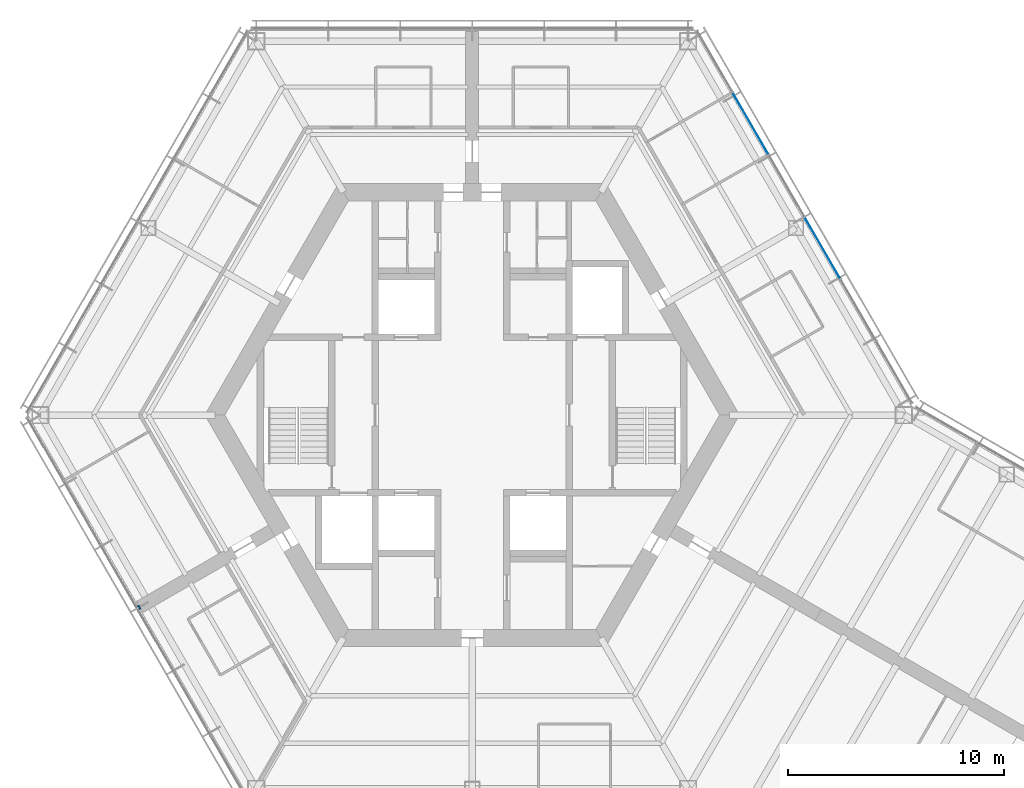
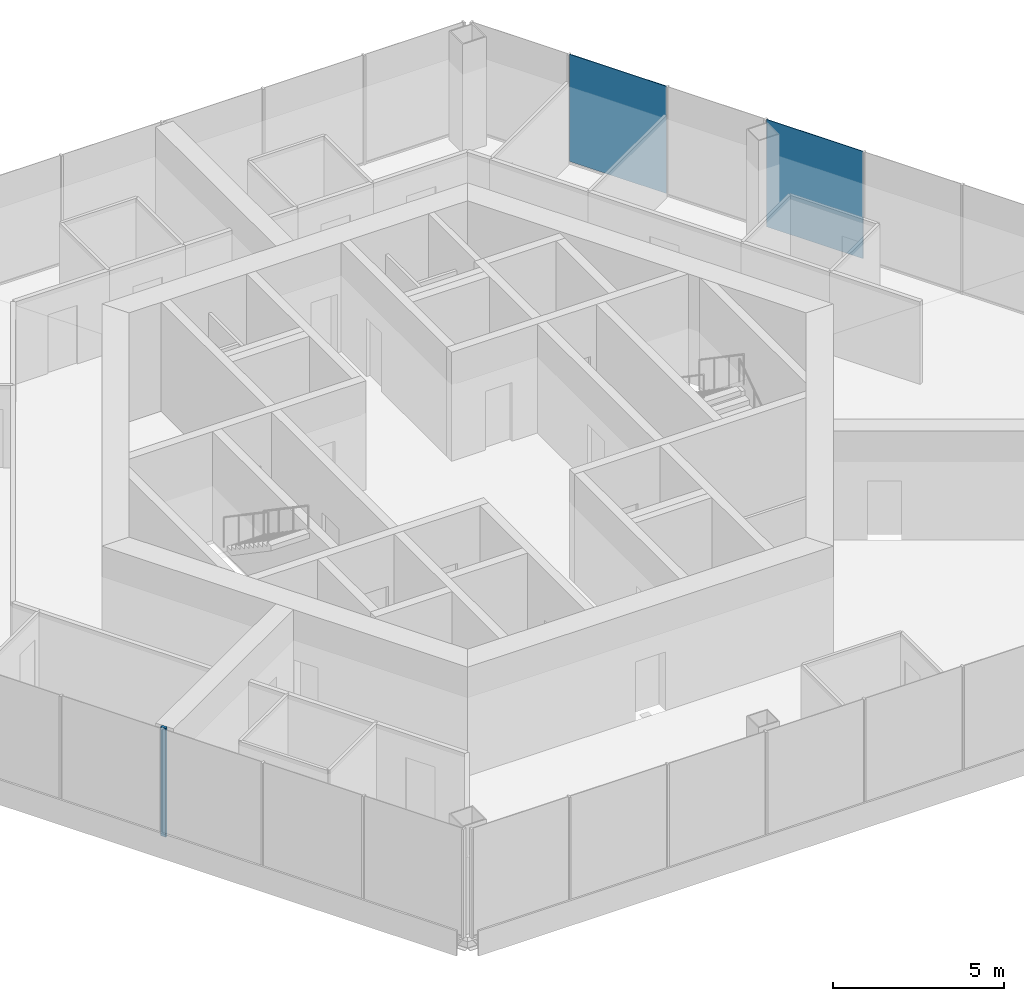
# One storey, part 9 of 15: 2 plates, 1 wall, 1 element without a shape of its own.
"""IFC4 building model written with IfcOpenShell, lengths in metres."""

import ifcopenshell
import ifcopenshell.guid

model = None  # the IFC model being written
_history = None  # IfcOwnerHistory: only IFC2X3 demands one
_inside = {}  # id of a spatial element -> (the spatial element, [elements in it])
_under = {}  # id of a project, library or spatial element -> (it, [spatial elements below it])
_declared = {}  # id of a project -> (the project, [libraries it declares])
_typed = {}  # id of a type object -> (the type object, [elements of that type])
_made_of = {}  # id of a material, layer set ... -> (it, [elements and type objects made of it])


def new_model(schema):
    """Start an empty IFC model of exactly this schema.

    Asked for "IFC4X3", IfcOpenShell would pick the latest addendum, in which some entities
    have other attributes; the version numbers below select the first issue.
    IFC2X3 requires an IfcOwnerHistory on every rooted entity: one is made here for all.
    """
    global model, _history
    if schema == "IFC4X3":
        model = ifcopenshell.file(schema_version=(4, 3, 0, 0))
    else:
        model = ifcopenshell.file(schema=schema)
    _inside.clear()
    _under.clear()
    _declared.clear()
    _typed.clear()
    _made_of.clear()
    _history = None
    if model.schema == "IFC2X3":
        org = make("IfcOrganization", Name="unknown")
        user = make(
            "IfcPersonAndOrganization",
            ThePerson=make("IfcPerson", FamilyName="unknown"),
            TheOrganization=org,
        )
        app = make(
            "IfcApplication",
            ApplicationDeveloper=org,
            Version="unknown",
            ApplicationFullName="unknown",
            ApplicationIdentifier="unknown",
        )
        _history = make(
            "IfcOwnerHistory",
            OwningUser=user,
            OwningApplication=app,
            ChangeAction="ADDED",
            CreationDate=0,
        )
    return model


def make(cls, **values):
    """One entity of the class cls with the attributes given. An attribute that is None is left unset."""
    return model.create_entity(
        cls, **{name: value for name, value in values.items() if value is not None}
    )


def rooted(cls, **values):
    """An entity with a GlobalId (a new one), such as an element, a storey or a relation."""
    return make(cls, GlobalId=ifcopenshell.guid.new(), OwnerHistory=_history, **values)


def si_unit(unit_type, name, prefix=None):
    """IfcSIUnit, for example si_unit("LENGTHUNIT", "METRE", prefix="MILLI")."""
    return make("IfcSIUnit", UnitType=unit_type, Prefix=prefix, Name=name)


def assignment(units):
    """IfcUnitAssignment: the units of a project."""
    return None if units is None else make("IfcUnitAssignment", Units=units)


def point(xyz):
    """IfcCartesianPoint."""
    return None if xyz is None else make("IfcCartesianPoint", Coordinates=xyz)


def direction(xyz):
    """IfcDirection."""
    return None if xyz is None else make("IfcDirection", DirectionRatios=xyz)


def frame(location, z_axis=None, x_axis=None):
    """IfcAxis2Placement3D, a coordinate frame: its origin and axes. An axis left out is left unset."""
    return make(
        "IfcAxis2Placement3D",
        Location=point(location),
        Axis=direction(z_axis),
        RefDirection=direction(x_axis),
    )


def frame_2d(location, x_axis=None):
    """IfcAxis2Placement2D, a coordinate frame in the plane: its origin and x axis."""
    return make(
        "IfcAxis2Placement2D", Location=point(location), RefDirection=direction(x_axis)
    )


def origin():
    """The frame at (0, 0, 0) with its axes left unset."""
    return frame((0.0, 0.0, 0.0))


def origin_2d():
    """The frame at (0, 0) in the plane with its x axis left unset."""
    return frame_2d((0.0, 0.0))


def place(relative_to, where):
    """IfcLocalPlacement: puts the frame where relative to a parent placement (None: the world)."""
    return make(
        "IfcLocalPlacement", PlacementRelTo=relative_to, RelativePlacement=where
    )


def context(
    kind, dimensions, precision=None, world=None, true_north=None, identifier=None
):
    """IfcGeometricRepresentationContext, for example the 3D "Model" context."""
    return make(
        "IfcGeometricRepresentationContext",
        ContextIdentifier=identifier,
        ContextType=kind,
        CoordinateSpaceDimension=dimensions,
        Precision=precision,
        WorldCoordinateSystem=world,
        TrueNorth=true_north,
    )


def subcontext(parent, identifier, kind, view, scale=None):
    """IfcGeometricRepresentationSubContext, for example "Body" below "Model"."""
    return make(
        "IfcGeometricRepresentationSubContext",
        ContextIdentifier=identifier,
        ContextType=kind,
        ParentContext=parent,
        TargetScale=scale,
        TargetView=view,
    )


def project(units=None, contexts=None):
    """IfcProject with its units and contexts."""
    return rooted(
        "IfcProject",
        Name="project",
        RepresentationContexts=contexts,
        UnitsInContext=assignment(units),
    )


def spatial(cls, under=None, at=None, **own):
    """A site, building, storey or space (cls), placed at a placement, below another one or the project."""
    s = rooted(cls, ObjectPlacement=at, **own)
    if under is not None:
        _under.setdefault(under.id(), (under, []))[1].append(s)
    return s


def profile(cls, at=None, kind="AREA", **sizes):
    """A parametric profile (cls). Its sizes go by their IFC names, for example OverallWidth=200.0."""
    return make(cls, ProfileType=kind, Position=at, **sizes)


def rectangle(**sizes):
    """IfcRectangleProfileDef."""
    return profile("IfcRectangleProfileDef", **sizes)


def extrude(swept, where, along, depth):
    """IfcExtrudedAreaSolid: the profile swept, set in the frame where, extruded along a direction by depth."""
    return make(
        "IfcExtrudedAreaSolid",
        SweptArea=swept,
        Position=where,
        ExtrudedDirection=direction(along),
        Depth=depth,
    )


def shape(context_of_items, identifier, shape_type, items):
    """IfcShapeRepresentation: the items that make up one representation, for example the "Body"."""
    return make(
        "IfcShapeRepresentation",
        ContextOfItems=context_of_items,
        RepresentationIdentifier=identifier,
        RepresentationType=shape_type,
        Items=items,
    )


def material(Name=None, Category=None):
    """IfcMaterial."""
    return make("IfcMaterial", Name=Name, Category=Category)


def layer(
    of_material, thickness, ventilated=None, Name=None, Category=None, Priority=None
):
    """IfcMaterialLayer: one layer of a wall or slab, of a material (None: an air gap)."""
    return make(
        "IfcMaterialLayer",
        Material=of_material,
        LayerThickness=thickness,
        IsVentilated=ventilated,
        Name=Name,
        Category=Category,
        Priority=Priority,
    )


def layer_set(layers, Name=None):
    """IfcMaterialLayerSet."""
    return make("IfcMaterialLayerSet", MaterialLayers=layers, LayerSetName=Name)


def made_of(thing, what):
    """Note that an element or type object is made of a material, layer set ...; save() writes the relation."""
    if what is not None:
        _made_of.setdefault(what.id(), (what, []))[1].append(thing)
    return thing


def type_object(cls, material=None, **own):
    """A type object (cls), such as IfcWallType, which elements share."""
    return made_of(rooted(cls, **own), material)


def element(
    cls,
    number,
    at=None,
    inside=None,
    cuts=None,
    type_object=None,
    material=None,
    context=None,
    identifier="Body",
    shape_type=None,
    held_by="IfcProductDefinitionShape",
    body=None,
    shapes=None,
    **own,
):
    """One element of the class cls, such as IfcWall. Its Tag is "e" and its number.

    at: its placement. inside: the storey or other place that contains it. cuts: it is an
    opening in that element (IfcRelVoidsElement). A single representation is given by context,
    identifier, shape_type and body (its items); several are given by shapes. held_by: the class
    of the entity that holds the representations. save() writes the other relations.
    """
    e = rooted(cls, Tag="e%d" % number, ObjectPlacement=at, **own)
    if body is not None:
        shapes = [shape(context, identifier, shape_type, body)]
    if shapes is not None:
        e.Representation = make(held_by, Representations=shapes)
    if inside is not None:
        _inside.setdefault(inside.id(), (inside, []))[1].append(e)
    if cuts is not None:
        rooted(
            "IfcRelVoidsElement", RelatingBuildingElement=cuts, RelatedOpeningElement=e
        )
    if type_object is not None:
        _typed.setdefault(type_object.id(), (type_object, []))[1].append(e)
    return made_of(e, material)


def aggregate(whole, parts):
    """IfcRelAggregates: a whole, such as a stair, and the parts it consists of."""
    return rooted("IfcRelAggregates", RelatingObject=whole, RelatedObjects=parts)


def save(model, path):
    """Write the relations noted so far, then the file.

    IfcRelAggregates (storeys below a building ...), IfcRelContainedInSpatialStructure (elements
    in a storey), IfcRelDefinesByType, IfcRelAssociatesMaterial and IfcRelDeclares: one each for
    every whole, place, type object, material and project.
    """
    for whole, parts in _under.values():
        aggregate(whole, parts)
    for where, things in _inside.values():
        rooted(
            "IfcRelContainedInSpatialStructure",
            RelatedElements=things,
            RelatingStructure=where,
        )
    for kind, things in _typed.values():
        rooted("IfcRelDefinesByType", RelatedObjects=things, RelatingType=kind)
    for what, things in _made_of.values():
        rooted("IfcRelAssociatesMaterial", RelatedObjects=things, RelatingMaterial=what)
    for by, libraries in _declared.values():
        rooted("IfcRelDeclares", RelatingContext=by, RelatedDefinitions=libraries)
    model.write(path)


model = new_model("IFC4")

# Units and contexts
model_context = context("Model", 3, precision=1e-05, world=origin(), true_north=direction((0.0, 1.0)))
body_context = subcontext(model_context, "Body", "Model", "MODEL_VIEW")
ifc_project = project(units=[si_unit("LENGTHUNIT", "METRE"), si_unit("AREAUNIT", "SQUARE_METRE"), si_unit("VOLUMEUNIT", "CUBIC_METRE"), si_unit("PLANEANGLEUNIT", "RADIAN"), si_unit("MASSUNIT", "GRAM", prefix="KILO")], contexts=[model_context])

# Site, building, storey
site_placement = place(None, origin())
site = spatial("IfcSite", under=ifc_project, at=site_placement, CompositionType="ELEMENT")
building_placement = place(site_placement, origin())
building = spatial("IfcBuilding", under=site, at=building_placement, Name="Kasaneha Research Tower", CompositionType="ELEMENT")
storey_placement = place(building_placement, frame((0.0, 0.0, 236.199951171875)))
storey = spatial("IfcBuildingStorey", under=building, at=storey_placement, Name="L59", CompositionType="ELEMENT", Elevation=236.199951171875)

# Curtain wall, plates
ifc_material_1 = material(Name="Glass and aluminium", Category="aluminium")
curtain_wall_type = type_object("IfcCurtainWallType", Name="High-rise office curtain wall", PredefinedType="USERDEFINED", material=ifc_material_1)
curtain_wall_placement = place(storey_placement, origin())
curtain_wall = element("IfcCurtainWall", 1, at=curtain_wall_placement, inside=storey, type_object=curtain_wall_type, Name="CW-O3 L59 run 01a", ObjectType="UNITISED CURTAIN WALL", PredefinedType="USERDEFINED")
ifc_material_2 = material(Name="Laminated double glazing", Category="glass")
ifc_layer_1 = layer(ifc_material_2, 0.02392578125)
ifc_layer_set_1 = layer_set([ifc_layer_1], Name="CW-O3 glazed panel")
plate_type = type_object("IfcPlateType", Name="CW-O3 glazed panel", PredefinedType="CURTAIN_PANEL", material=ifc_layer_set_1)
plate_1_placement = place(storey_placement, frame((16.2255859375, 7.737548828125, 0.06005859375), z_axis=(0.0, 0.0, 1.0), x_axis=(-0.499999979232, 0.866025415775, 0.0)))
plate_1 = element("IfcPlate", 2, at=plate_1_placement, type_object=plate_type, Name="CW-O3 panel 3", PredefinedType="CURTAIN_PANEL", context=body_context, shape_type="SweptSolid", body=[
    extrude(rectangle(XDim=3.27099609375, YDim=0.02392578125, at=origin_2d()), origin(), (0.0, 0.0, 1.0), 3.840087890625),
])
plate_2_placement = place(storey_placement, frame((12.89453125, 13.5068359375, 0.06005859375), z_axis=(0.0, 0.0, 1.0), x_axis=(-0.499999979232, 0.866025415775, 0.0)))
plate_2 = element("IfcPlate", 3, at=plate_2_placement, type_object=plate_type, Name="CW-O3 panel 5", PredefinedType="CURTAIN_PANEL", context=body_context, shape_type="SweptSolid", body=[
    extrude(rectangle(XDim=3.27099609375, YDim=0.02392578125, at=origin_2d()), origin(), (0.0, 0.0, 1.0), 3.840087890625),
])
aggregate(curtain_wall, [plate_1, plate_2])

# Wall
ifc_material_3 = material(Name="Gypsum board on steel studs, two layers each side", Category="steel")
ifc_layer_2 = layer(ifc_material_3, 0.175048828125)
ifc_layer_set_2 = layer_set([ifc_layer_2], Name="Tenancy fire partition 175")
wall_type = type_object("IfcWallType", Name="Tenancy fire partition 175", PredefinedType="PARTITIONING", material=ifc_layer_set_2)
wall_placement = place(storey_placement, frame((-15.3896484375, -8.88525390625, 0.0), z_axis=(0.0, 0.0, 1.0), x_axis=(-0.866472036435, -0.499225610396, 0.0)))
element("IfcWall", 4, at=wall_placement, inside=storey, type_object=wall_type, Name="Spine wall closer SW4-600 L59", PredefinedType="PARTITIONING", context=body_context, shape_type="SweptSolid", body=[
    extrude(rectangle(XDim=0.085205078125, YDim=0.175048828125, at=frame_2d((0.04248046875, 0.0))), origin(), (0.0, 0.0, 1.0), 3.900146484375),
])

save(model, "model.ifc")
